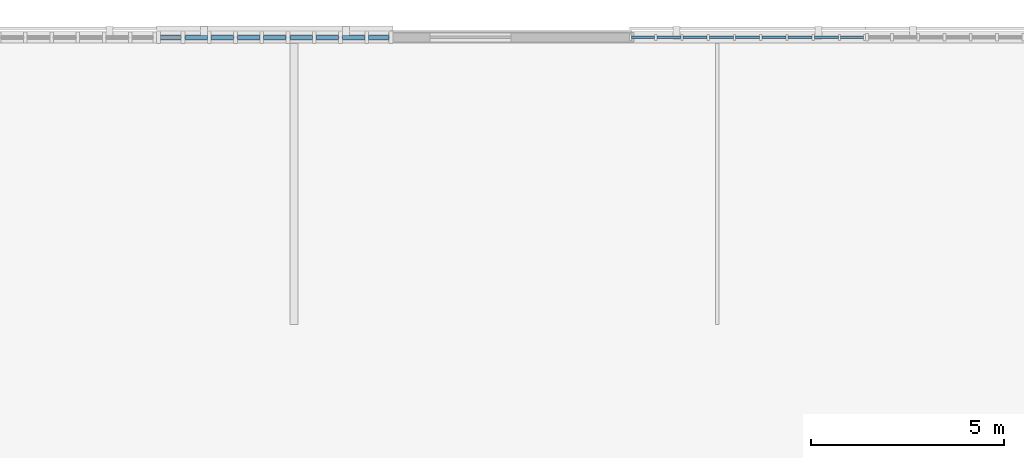
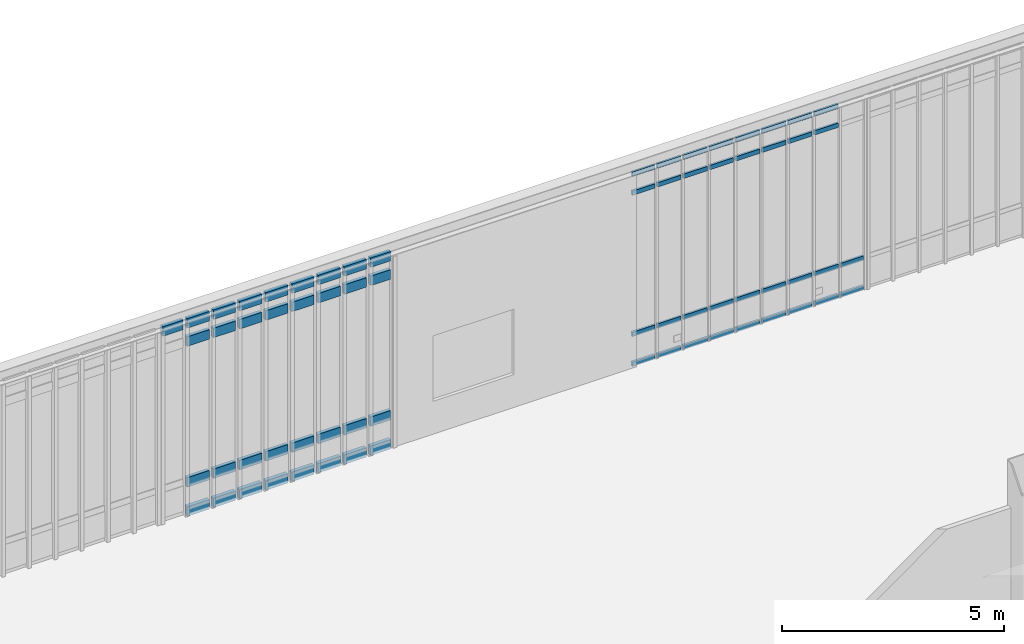
# One storey, part 55 of 135: 67 members, 2 elements without a shape of their own.
"""IFC4 building model written with IfcOpenShell, lengths in metres."""

import ifcopenshell
import ifcopenshell.guid

model = None  # the IFC model being written
_history = None  # IfcOwnerHistory: only IFC2X3 demands one
_inside = {}  # id of a spatial element -> (the spatial element, [elements in it])
_under = {}  # id of a project, library or spatial element -> (it, [spatial elements below it])
_declared = {}  # id of a project -> (the project, [libraries it declares])
_typed = {}  # id of a type object -> (the type object, [elements of that type])
_made_of = {}  # id of a material, layer set ... -> (it, [elements and type objects made of it])


def new_model(schema):
    """Start an empty IFC model of exactly this schema.

    Asked for "IFC4X3", IfcOpenShell would pick the latest addendum, in which some entities
    have other attributes; the version numbers below select the first issue.
    IFC2X3 requires an IfcOwnerHistory on every rooted entity: one is made here for all.
    """
    global model, _history
    if schema == "IFC4X3":
        model = ifcopenshell.file(schema_version=(4, 3, 0, 0))
    else:
        model = ifcopenshell.file(schema=schema)
    _inside.clear()
    _under.clear()
    _declared.clear()
    _typed.clear()
    _made_of.clear()
    _history = None
    if model.schema == "IFC2X3":
        org = make("IfcOrganization", Name="unknown")
        user = make(
            "IfcPersonAndOrganization",
            ThePerson=make("IfcPerson", FamilyName="unknown"),
            TheOrganization=org,
        )
        app = make(
            "IfcApplication",
            ApplicationDeveloper=org,
            Version="unknown",
            ApplicationFullName="unknown",
            ApplicationIdentifier="unknown",
        )
        _history = make(
            "IfcOwnerHistory",
            OwningUser=user,
            OwningApplication=app,
            ChangeAction="ADDED",
            CreationDate=0,
        )
    return model


def make(cls, **values):
    """One entity of the class cls with the attributes given. An attribute that is None is left unset."""
    return model.create_entity(
        cls, **{name: value for name, value in values.items() if value is not None}
    )


def rooted(cls, **values):
    """An entity with a GlobalId (a new one), such as an element, a storey or a relation."""
    return make(cls, GlobalId=ifcopenshell.guid.new(), OwnerHistory=_history, **values)


def si_unit(unit_type, name, prefix=None):
    """IfcSIUnit, for example si_unit("LENGTHUNIT", "METRE", prefix="MILLI")."""
    return make("IfcSIUnit", UnitType=unit_type, Prefix=prefix, Name=name)


def assignment(units):
    """IfcUnitAssignment: the units of a project."""
    return None if units is None else make("IfcUnitAssignment", Units=units)


def point(xyz):
    """IfcCartesianPoint."""
    return None if xyz is None else make("IfcCartesianPoint", Coordinates=xyz)


def direction(xyz):
    """IfcDirection."""
    return None if xyz is None else make("IfcDirection", DirectionRatios=xyz)


def frame(location, z_axis=None, x_axis=None):
    """IfcAxis2Placement3D, a coordinate frame: its origin and axes. An axis left out is left unset."""
    return make(
        "IfcAxis2Placement3D",
        Location=point(location),
        Axis=direction(z_axis),
        RefDirection=direction(x_axis),
    )


def frame_2d(location, x_axis=None):
    """IfcAxis2Placement2D, a coordinate frame in the plane: its origin and x axis."""
    return make(
        "IfcAxis2Placement2D", Location=point(location), RefDirection=direction(x_axis)
    )


def origin():
    """The frame at (0, 0, 0) with its axes left unset."""
    return frame((0.0, 0.0, 0.0))


def origin_2d():
    """The frame at (0, 0) in the plane with its x axis left unset."""
    return frame_2d((0.0, 0.0))


def place(relative_to, where):
    """IfcLocalPlacement: puts the frame where relative to a parent placement (None: the world)."""
    return make(
        "IfcLocalPlacement", PlacementRelTo=relative_to, RelativePlacement=where
    )


def context(
    kind, dimensions, precision=None, world=None, true_north=None, identifier=None
):
    """IfcGeometricRepresentationContext, for example the 3D "Model" context."""
    return make(
        "IfcGeometricRepresentationContext",
        ContextIdentifier=identifier,
        ContextType=kind,
        CoordinateSpaceDimension=dimensions,
        Precision=precision,
        WorldCoordinateSystem=world,
        TrueNorth=true_north,
    )


def subcontext(parent, identifier, kind, view, scale=None):
    """IfcGeometricRepresentationSubContext, for example "Body" below "Model"."""
    return make(
        "IfcGeometricRepresentationSubContext",
        ContextIdentifier=identifier,
        ContextType=kind,
        ParentContext=parent,
        TargetScale=scale,
        TargetView=view,
    )


def project(units=None, contexts=None):
    """IfcProject with its units and contexts."""
    return rooted(
        "IfcProject",
        Name="project",
        RepresentationContexts=contexts,
        UnitsInContext=assignment(units),
    )


def spatial(cls, under=None, at=None, **own):
    """A site, building, storey or space (cls), placed at a placement, below another one or the project."""
    s = rooted(cls, ObjectPlacement=at, **own)
    if under is not None:
        _under.setdefault(under.id(), (under, []))[1].append(s)
    return s


def profile(cls, at=None, kind="AREA", **sizes):
    """A parametric profile (cls). Its sizes go by their IFC names, for example OverallWidth=200.0."""
    return make(cls, ProfileType=kind, Position=at, **sizes)


def rectangle(**sizes):
    """IfcRectangleProfileDef."""
    return profile("IfcRectangleProfileDef", **sizes)


def extrude(swept, where, along, depth):
    """IfcExtrudedAreaSolid: the profile swept, set in the frame where, extruded along a direction by depth."""
    return make(
        "IfcExtrudedAreaSolid",
        SweptArea=swept,
        Position=where,
        ExtrudedDirection=direction(along),
        Depth=depth,
    )


def shape(context_of_items, identifier, shape_type, items):
    """IfcShapeRepresentation: the items that make up one representation, for example the "Body"."""
    return make(
        "IfcShapeRepresentation",
        ContextOfItems=context_of_items,
        RepresentationIdentifier=identifier,
        RepresentationType=shape_type,
        Items=items,
    )


def material(Name=None, Category=None):
    """IfcMaterial."""
    return make("IfcMaterial", Name=Name, Category=Category)


def material_profile(
    of_material, cross_section, Name=None, Category=None, Priority=None
):
    """IfcMaterialProfile: a cross section and its material."""
    return make(
        "IfcMaterialProfile",
        Name=Name,
        Material=of_material,
        Profile=cross_section,
        Priority=Priority,
        Category=Category,
    )


def profile_set(profiles, Name=None, composite=None):
    """IfcMaterialProfileSet."""
    return make(
        "IfcMaterialProfileSet",
        Name=Name,
        MaterialProfiles=profiles,
        CompositeProfile=composite,
    )


def made_of(thing, what):
    """Note that an element or type object is made of a material, layer set ...; save() writes the relation."""
    if what is not None:
        _made_of.setdefault(what.id(), (what, []))[1].append(thing)
    return thing


def type_object(cls, material=None, **own):
    """A type object (cls), such as IfcWallType, which elements share."""
    return made_of(rooted(cls, **own), material)


def element(
    cls,
    number,
    at=None,
    inside=None,
    cuts=None,
    type_object=None,
    material=None,
    context=None,
    identifier="Body",
    shape_type=None,
    held_by="IfcProductDefinitionShape",
    body=None,
    shapes=None,
    **own,
):
    """One element of the class cls, such as IfcWall. Its Tag is "e" and its number.

    at: its placement. inside: the storey or other place that contains it. cuts: it is an
    opening in that element (IfcRelVoidsElement). A single representation is given by context,
    identifier, shape_type and body (its items); several are given by shapes. held_by: the class
    of the entity that holds the representations. save() writes the other relations.
    """
    e = rooted(cls, Tag="e%d" % number, ObjectPlacement=at, **own)
    if body is not None:
        shapes = [shape(context, identifier, shape_type, body)]
    if shapes is not None:
        e.Representation = make(held_by, Representations=shapes)
    if inside is not None:
        _inside.setdefault(inside.id(), (inside, []))[1].append(e)
    if cuts is not None:
        rooted(
            "IfcRelVoidsElement", RelatingBuildingElement=cuts, RelatedOpeningElement=e
        )
    if type_object is not None:
        _typed.setdefault(type_object.id(), (type_object, []))[1].append(e)
    return made_of(e, material)


def aggregate(whole, parts):
    """IfcRelAggregates: a whole, such as a stair, and the parts it consists of."""
    return rooted("IfcRelAggregates", RelatingObject=whole, RelatedObjects=parts)


def save(model, path):
    """Write the relations noted so far, then the file.

    IfcRelAggregates (storeys below a building ...), IfcRelContainedInSpatialStructure (elements
    in a storey), IfcRelDefinesByType, IfcRelAssociatesMaterial and IfcRelDeclares: one each for
    every whole, place, type object, material and project.
    """
    for whole, parts in _under.values():
        aggregate(whole, parts)
    for where, things in _inside.values():
        rooted(
            "IfcRelContainedInSpatialStructure",
            RelatedElements=things,
            RelatingStructure=where,
        )
    for kind, things in _typed.values():
        rooted("IfcRelDefinesByType", RelatedObjects=things, RelatingType=kind)
    for what, things in _made_of.values():
        rooted("IfcRelAssociatesMaterial", RelatedObjects=things, RelatingMaterial=what)
    for by, libraries in _declared.values():
        rooted("IfcRelDeclares", RelatingContext=by, RelatedDefinitions=libraries)
    model.write(path)


model = new_model("IFC4")

# Units and contexts
model_context = context("Model", 3, precision=1e-05, world=origin(), true_north=direction((0.0, 1.0)))
body_context = subcontext(model_context, "Body", "Model", "MODEL_VIEW")
ifc_project = project(units=[si_unit("LENGTHUNIT", "METRE"), si_unit("AREAUNIT", "SQUARE_METRE"), si_unit("VOLUMEUNIT", "CUBIC_METRE"), si_unit("PLANEANGLEUNIT", "RADIAN"), si_unit("MASSUNIT", "GRAM", prefix="KILO")], contexts=[model_context])

# Site, building, storey
site_placement = place(None, origin())
site = spatial("IfcSite", under=ifc_project, at=site_placement, CompositionType="ELEMENT")
building_placement = place(site_placement, origin())
building = spatial("IfcBuilding", under=site, at=building_placement, Name="Larkvane Passage Sports Hall", CompositionType="ELEMENT")
storey_placement = place(building_placement, frame((0.0, 0.0, 10.800048828125)))
storey = spatial("IfcBuildingStorey", under=building, at=storey_placement, Name="L02", CompositionType="ELEMENT", Elevation=10.800048828125)

# Curtain wall, members
ifc_material_1 = material(Name="Thermally broken aluminium and low-E glazing", Category="aluminium")
curtain_wall_type_1 = type_object("IfcCurtainWallType", Name="CW-CLINIC", PredefinedType="USERDEFINED", material=ifc_material_1)
curtain_wall_1_placement = place(storey_placement, origin())
curtain_wall_1 = element("IfcCurtainWall", 1, at=curtain_wall_1_placement, inside=storey, type_object=curtain_wall_type_1, Name="Curtain wall CW5-L02-099", ObjectType="UNITISED CURTAIN WALL", PredefinedType="USERDEFINED")
ifc_material_2 = material(Name="Anodised aluminium 6063-T6", Category="aluminium")
ifc_material_profile_1 = material_profile(ifc_material_2, rectangle(XDim=0.10009765625, YDim=0.260009765625, at=origin_2d()), Name="ALU-TRN-100x260")
ifc_profile_set_1 = profile_set([ifc_material_profile_1], Name="Anodised aluminium 6063-T6")
member_type_1 = type_object("IfcMemberType", Name="CW-TRN-100x260", PredefinedType="USERDEFINED", material=ifc_profile_set_1)
member_1_placement = place(storey_placement, frame((46.27490234375, 106.800048828125, 5.218017578125), z_axis=(1.0, 0.0, 0.0), x_axis=(0.0, 1.0, 0.0)))
member_1 = element("IfcMember", 2, at=member_1_placement, type_object=member_type_1, Name="CW-05 transom 1.4", ObjectType="TRANSOM", PredefinedType="USERDEFINED", context=body_context, shape_type="SweptSolid", body=[
    extrude(rectangle(XDim=0.10009765625, YDim=0.260009765625, at=origin_2d()), origin(), (0.0, 0.0, 1.0), 0.53076171875),
])
member_2_placement = place(storey_placement, frame((46.905517578125, 106.800048828125, 0.050048828125), z_axis=(1.0, 0.0, 0.0), x_axis=(0.0, 1.0, 0.0)))
member_2 = element("IfcMember", 3, at=member_2_placement, type_object=member_type_1, Name="CW-05 transom 2.1", ObjectType="TRANSOM", PredefinedType="USERDEFINED", context=body_context, shape_type="SweptSolid", body=[
    extrude(rectangle(XDim=0.10009765625, YDim=0.260009765625, at=origin_2d()), origin(), (0.0, 0.0, 1.0), 0.58056640625),
])
member_3_placement = place(storey_placement, frame((46.905517578125, 106.800048828125, 0.849853515625), z_axis=(1.0, 0.0, 0.0), x_axis=(0.0, 1.0, 0.0)))
member_3 = element("IfcMember", 4, at=member_3_placement, type_object=member_type_1, Name="CW-05 transom 2.2", ObjectType="TRANSOM", PredefinedType="USERDEFINED", context=body_context, shape_type="SweptSolid", body=[
    extrude(rectangle(XDim=0.10009765625, YDim=0.260009765625, at=origin_2d()), origin(), (0.0, 0.0, 1.0), 0.58056640625),
])
member_4_placement = place(storey_placement, frame((46.905517578125, 106.800048828125, 4.718017578125), z_axis=(1.0, 0.0, 0.0), x_axis=(0.0, 1.0, 0.0)))
member_4 = element("IfcMember", 5, at=member_4_placement, type_object=member_type_1, Name="CW-05 transom 2.3", ObjectType="TRANSOM", PredefinedType="USERDEFINED", context=body_context, shape_type="SweptSolid", body=[
    extrude(rectangle(XDim=0.10009765625, YDim=0.260009765625, at=origin_2d()), origin(), (0.0, 0.0, 1.0), 0.58056640625),
])
member_5_placement = place(storey_placement, frame((46.905517578125, 106.800048828125, 5.218017578125), z_axis=(1.0, 0.0, 0.0), x_axis=(0.0, 1.0, 0.0)))
member_5 = element("IfcMember", 6, at=member_5_placement, type_object=member_type_1, Name="CW-05 transom 2.4", ObjectType="TRANSOM", PredefinedType="USERDEFINED", context=body_context, shape_type="SweptSolid", body=[
    extrude(rectangle(XDim=0.10009765625, YDim=0.260009765625, at=origin_2d()), origin(), (0.0, 0.0, 1.0), 0.58056640625),
])
member_6_placement = place(storey_placement, frame((47.586181640625, 106.800048828125, 0.050048828125), z_axis=(1.0, 0.0, 0.0), x_axis=(0.0, 1.0, 0.0)))
member_6 = element("IfcMember", 7, at=member_6_placement, type_object=member_type_1, Name="CW-05 transom 3.1", ObjectType="TRANSOM", PredefinedType="USERDEFINED", context=body_context, shape_type="SweptSolid", body=[
    extrude(rectangle(XDim=0.10009765625, YDim=0.260009765625, at=origin_2d()), origin(), (0.0, 0.0, 1.0), 0.58056640625),
])
member_7_placement = place(storey_placement, frame((47.586181640625, 106.800048828125, 0.849853515625), z_axis=(1.0, 0.0, 0.0), x_axis=(0.0, 1.0, 0.0)))
member_7 = element("IfcMember", 8, at=member_7_placement, type_object=member_type_1, Name="CW-05 transom 3.2", ObjectType="TRANSOM", PredefinedType="USERDEFINED", context=body_context, shape_type="SweptSolid", body=[
    extrude(rectangle(XDim=0.10009765625, YDim=0.260009765625, at=origin_2d()), origin(), (0.0, 0.0, 1.0), 0.58056640625),
])
member_8_placement = place(storey_placement, frame((47.586181640625, 106.800048828125, 4.718017578125), z_axis=(1.0, 0.0, 0.0), x_axis=(0.0, 1.0, 0.0)))
member_8 = element("IfcMember", 9, at=member_8_placement, type_object=member_type_1, Name="CW-05 transom 3.3", ObjectType="TRANSOM", PredefinedType="USERDEFINED", context=body_context, shape_type="SweptSolid", body=[
    extrude(rectangle(XDim=0.10009765625, YDim=0.260009765625, at=origin_2d()), origin(), (0.0, 0.0, 1.0), 0.58056640625),
])
member_9_placement = place(storey_placement, frame((47.586181640625, 106.800048828125, 5.218017578125), z_axis=(1.0, 0.0, 0.0), x_axis=(0.0, 1.0, 0.0)))
member_9 = element("IfcMember", 10, at=member_9_placement, type_object=member_type_1, Name="CW-05 transom 3.4", ObjectType="TRANSOM", PredefinedType="USERDEFINED", context=body_context, shape_type="SweptSolid", body=[
    extrude(rectangle(XDim=0.10009765625, YDim=0.260009765625, at=origin_2d()), origin(), (0.0, 0.0, 1.0), 0.58056640625),
])
member_10_placement = place(storey_placement, frame((48.2666015625, 106.800048828125, 0.050048828125), z_axis=(1.0, 0.0, 0.0), x_axis=(0.0, 1.0, 0.0)))
member_10 = element("IfcMember", 11, at=member_10_placement, type_object=member_type_1, Name="CW-05 transom 4.1", ObjectType="TRANSOM", PredefinedType="USERDEFINED", context=body_context, shape_type="SweptSolid", body=[
    extrude(rectangle(XDim=0.10009765625, YDim=0.260009765625, at=origin_2d()), origin(), (0.0, 0.0, 1.0), 0.58056640625),
])
member_11_placement = place(storey_placement, frame((48.2666015625, 106.800048828125, 0.849853515625), z_axis=(1.0, 0.0, 0.0), x_axis=(0.0, 1.0, 0.0)))
member_11 = element("IfcMember", 12, at=member_11_placement, type_object=member_type_1, Name="CW-05 transom 4.2", ObjectType="TRANSOM", PredefinedType="USERDEFINED", context=body_context, shape_type="SweptSolid", body=[
    extrude(rectangle(XDim=0.10009765625, YDim=0.260009765625, at=origin_2d()), origin(), (0.0, 0.0, 1.0), 0.58056640625),
])
member_12_placement = place(storey_placement, frame((48.2666015625, 106.800048828125, 4.718017578125), z_axis=(1.0, 0.0, 0.0), x_axis=(0.0, 1.0, 0.0)))
member_12 = element("IfcMember", 13, at=member_12_placement, type_object=member_type_1, Name="CW-05 transom 4.3", ObjectType="TRANSOM", PredefinedType="USERDEFINED", context=body_context, shape_type="SweptSolid", body=[
    extrude(rectangle(XDim=0.10009765625, YDim=0.260009765625, at=origin_2d()), origin(), (0.0, 0.0, 1.0), 0.58056640625),
])
member_13_placement = place(storey_placement, frame((48.2666015625, 106.800048828125, 5.218017578125), z_axis=(1.0, 0.0, 0.0), x_axis=(0.0, 1.0, 0.0)))
member_13 = element("IfcMember", 14, at=member_13_placement, type_object=member_type_1, Name="CW-05 transom 4.4", ObjectType="TRANSOM", PredefinedType="USERDEFINED", context=body_context, shape_type="SweptSolid", body=[
    extrude(rectangle(XDim=0.10009765625, YDim=0.260009765625, at=origin_2d()), origin(), (0.0, 0.0, 1.0), 0.58056640625),
])
member_14_placement = place(storey_placement, frame((48.947265625, 106.800048828125, 0.050048828125), z_axis=(1.0, 0.0, 0.0), x_axis=(0.0, 1.0, 0.0)))
member_14 = element("IfcMember", 15, at=member_14_placement, type_object=member_type_1, Name="CW-05 transom 5.1", ObjectType="TRANSOM", PredefinedType="USERDEFINED", context=body_context, shape_type="SweptSolid", body=[
    extrude(rectangle(XDim=0.10009765625, YDim=0.260009765625, at=origin_2d()), origin(), (0.0, 0.0, 1.0), 0.58056640625),
])
member_15_placement = place(storey_placement, frame((48.947265625, 106.800048828125, 0.849853515625), z_axis=(1.0, 0.0, 0.0), x_axis=(0.0, 1.0, 0.0)))
member_15 = element("IfcMember", 16, at=member_15_placement, type_object=member_type_1, Name="CW-05 transom 5.2", ObjectType="TRANSOM", PredefinedType="USERDEFINED", context=body_context, shape_type="SweptSolid", body=[
    extrude(rectangle(XDim=0.10009765625, YDim=0.260009765625, at=origin_2d()), origin(), (0.0, 0.0, 1.0), 0.58056640625),
])
member_16_placement = place(storey_placement, frame((48.947265625, 106.800048828125, 4.718017578125), z_axis=(1.0, 0.0, 0.0), x_axis=(0.0, 1.0, 0.0)))
member_16 = element("IfcMember", 17, at=member_16_placement, type_object=member_type_1, Name="CW-05 transom 5.3", ObjectType="TRANSOM", PredefinedType="USERDEFINED", context=body_context, shape_type="SweptSolid", body=[
    extrude(rectangle(XDim=0.10009765625, YDim=0.260009765625, at=origin_2d()), origin(), (0.0, 0.0, 1.0), 0.58056640625),
])
member_17_placement = place(storey_placement, frame((48.947265625, 106.800048828125, 5.218017578125), z_axis=(1.0, 0.0, 0.0), x_axis=(0.0, 1.0, 0.0)))
member_17 = element("IfcMember", 18, at=member_17_placement, type_object=member_type_1, Name="CW-05 transom 5.4", ObjectType="TRANSOM", PredefinedType="USERDEFINED", context=body_context, shape_type="SweptSolid", body=[
    extrude(rectangle(XDim=0.10009765625, YDim=0.260009765625, at=origin_2d()), origin(), (0.0, 0.0, 1.0), 0.58056640625),
])
member_18_placement = place(storey_placement, frame((49.627685546875, 106.800048828125, 0.050048828125), z_axis=(1.0, 0.0, 0.0), x_axis=(0.0, 1.0, 0.0)))
member_18 = element("IfcMember", 19, at=member_18_placement, type_object=member_type_1, Name="CW-05 transom 6.1", ObjectType="TRANSOM", PredefinedType="USERDEFINED", context=body_context, shape_type="SweptSolid", body=[
    extrude(rectangle(XDim=0.10009765625, YDim=0.260009765625, at=origin_2d()), origin(), (0.0, 0.0, 1.0), 0.58056640625),
])
member_19_placement = place(storey_placement, frame((49.627685546875, 106.800048828125, 0.849853515625), z_axis=(1.0, 0.0, 0.0), x_axis=(0.0, 1.0, 0.0)))
member_19 = element("IfcMember", 20, at=member_19_placement, type_object=member_type_1, Name="CW-05 transom 6.2", ObjectType="TRANSOM", PredefinedType="USERDEFINED", context=body_context, shape_type="SweptSolid", body=[
    extrude(rectangle(XDim=0.10009765625, YDim=0.260009765625, at=origin_2d()), origin(), (0.0, 0.0, 1.0), 0.58056640625),
])
member_20_placement = place(storey_placement, frame((49.627685546875, 106.800048828125, 4.718017578125), z_axis=(1.0, 0.0, 0.0), x_axis=(0.0, 1.0, 0.0)))
member_20 = element("IfcMember", 21, at=member_20_placement, type_object=member_type_1, Name="CW-05 transom 6.3", ObjectType="TRANSOM", PredefinedType="USERDEFINED", context=body_context, shape_type="SweptSolid", body=[
    extrude(rectangle(XDim=0.10009765625, YDim=0.260009765625, at=origin_2d()), origin(), (0.0, 0.0, 1.0), 0.58056640625),
])
member_21_placement = place(storey_placement, frame((49.627685546875, 106.800048828125, 5.218017578125), z_axis=(1.0, 0.0, 0.0), x_axis=(0.0, 1.0, 0.0)))
member_21 = element("IfcMember", 22, at=member_21_placement, type_object=member_type_1, Name="CW-05 transom 6.4", ObjectType="TRANSOM", PredefinedType="USERDEFINED", context=body_context, shape_type="SweptSolid", body=[
    extrude(rectangle(XDim=0.10009765625, YDim=0.260009765625, at=origin_2d()), origin(), (0.0, 0.0, 1.0), 0.58056640625),
])
member_22_placement = place(storey_placement, frame((50.308349609375, 106.800048828125, 0.050048828125), z_axis=(1.0, 0.0, 0.0), x_axis=(0.0, 1.0, 0.0)))
member_22 = element("IfcMember", 23, at=member_22_placement, type_object=member_type_1, Name="CW-05 transom 7.1", ObjectType="TRANSOM", PredefinedType="USERDEFINED", context=body_context, shape_type="SweptSolid", body=[
    extrude(rectangle(XDim=0.10009765625, YDim=0.260009765625, at=origin_2d()), origin(), (0.0, 0.0, 1.0), 0.58056640625),
])
member_23_placement = place(storey_placement, frame((50.308349609375, 106.800048828125, 0.849853515625), z_axis=(1.0, 0.0, 0.0), x_axis=(0.0, 1.0, 0.0)))
member_23 = element("IfcMember", 24, at=member_23_placement, type_object=member_type_1, Name="CW-05 transom 7.2", ObjectType="TRANSOM", PredefinedType="USERDEFINED", context=body_context, shape_type="SweptSolid", body=[
    extrude(rectangle(XDim=0.10009765625, YDim=0.260009765625, at=origin_2d()), origin(), (0.0, 0.0, 1.0), 0.58056640625),
])
member_24_placement = place(storey_placement, frame((50.308349609375, 106.800048828125, 4.718017578125), z_axis=(1.0, 0.0, 0.0), x_axis=(0.0, 1.0, 0.0)))
member_24 = element("IfcMember", 25, at=member_24_placement, type_object=member_type_1, Name="CW-05 transom 7.3", ObjectType="TRANSOM", PredefinedType="USERDEFINED", context=body_context, shape_type="SweptSolid", body=[
    extrude(rectangle(XDim=0.10009765625, YDim=0.260009765625, at=origin_2d()), origin(), (0.0, 0.0, 1.0), 0.58056640625),
])
member_25_placement = place(storey_placement, frame((50.308349609375, 106.800048828125, 5.218017578125), z_axis=(1.0, 0.0, 0.0), x_axis=(0.0, 1.0, 0.0)))
member_25 = element("IfcMember", 26, at=member_25_placement, type_object=member_type_1, Name="CW-05 transom 7.4", ObjectType="TRANSOM", PredefinedType="USERDEFINED", context=body_context, shape_type="SweptSolid", body=[
    extrude(rectangle(XDim=0.10009765625, YDim=0.260009765625, at=origin_2d()), origin(), (0.0, 0.0, 1.0), 0.58056640625),
])
member_26_placement = place(storey_placement, frame((50.98876953125, 106.800048828125, 0.050048828125), z_axis=(1.0, 0.0, 0.0), x_axis=(0.0, 1.0, 0.0)))
member_26 = element("IfcMember", 27, at=member_26_placement, type_object=member_type_1, Name="CW-05 transom 8.1", ObjectType="TRANSOM", PredefinedType="USERDEFINED", context=body_context, shape_type="SweptSolid", body=[
    extrude(rectangle(XDim=0.10009765625, YDim=0.260009765625, at=origin_2d()), origin(), (0.0, 0.0, 1.0), 0.58056640625),
])
member_27_placement = place(storey_placement, frame((50.98876953125, 106.800048828125, 0.849853515625), z_axis=(1.0, 0.0, 0.0), x_axis=(0.0, 1.0, 0.0)))
member_27 = element("IfcMember", 28, at=member_27_placement, type_object=member_type_1, Name="CW-05 transom 8.2", ObjectType="TRANSOM", PredefinedType="USERDEFINED", context=body_context, shape_type="SweptSolid", body=[
    extrude(rectangle(XDim=0.10009765625, YDim=0.260009765625, at=origin_2d()), origin(), (0.0, 0.0, 1.0), 0.58056640625),
])
member_28_placement = place(storey_placement, frame((50.98876953125, 106.800048828125, 4.718017578125), z_axis=(1.0, 0.0, 0.0), x_axis=(0.0, 1.0, 0.0)))
member_28 = element("IfcMember", 29, at=member_28_placement, type_object=member_type_1, Name="CW-05 transom 8.3", ObjectType="TRANSOM", PredefinedType="USERDEFINED", context=body_context, shape_type="SweptSolid", body=[
    extrude(rectangle(XDim=0.10009765625, YDim=0.260009765625, at=origin_2d()), origin(), (0.0, 0.0, 1.0), 0.58056640625),
])
member_29_placement = place(storey_placement, frame((50.98876953125, 106.800048828125, 5.218017578125), z_axis=(1.0, 0.0, 0.0), x_axis=(0.0, 1.0, 0.0)))
member_29 = element("IfcMember", 30, at=member_29_placement, type_object=member_type_1, Name="CW-05 transom 8.4", ObjectType="TRANSOM", PredefinedType="USERDEFINED", context=body_context, shape_type="SweptSolid", body=[
    extrude(rectangle(XDim=0.10009765625, YDim=0.260009765625, at=origin_2d()), origin(), (0.0, 0.0, 1.0), 0.58056640625),
])
member_30_placement = place(storey_placement, frame((51.66943359375, 106.800048828125, 0.050048828125), z_axis=(1.0, 0.0, 0.0), x_axis=(0.0, 1.0, 0.0)))
member_30 = element("IfcMember", 31, at=member_30_placement, type_object=member_type_1, Name="CW-05 transom 9.1", ObjectType="TRANSOM", PredefinedType="USERDEFINED", context=body_context, shape_type="SweptSolid", body=[
    extrude(rectangle(XDim=0.10009765625, YDim=0.260009765625, at=origin_2d()), origin(), (0.0, 0.0, 1.0), 0.530517578125),
])
member_31_placement = place(storey_placement, frame((51.66943359375, 106.800048828125, 0.849853515625), z_axis=(1.0, 0.0, 0.0), x_axis=(0.0, 1.0, 0.0)))
member_31 = element("IfcMember", 32, at=member_31_placement, type_object=member_type_1, Name="CW-05 transom 9.2", ObjectType="TRANSOM", PredefinedType="USERDEFINED", context=body_context, shape_type="SweptSolid", body=[
    extrude(rectangle(XDim=0.10009765625, YDim=0.260009765625, at=origin_2d()), origin(), (0.0, 0.0, 1.0), 0.530517578125),
])
member_32_placement = place(storey_placement, frame((51.66943359375, 106.800048828125, 4.718017578125), z_axis=(1.0, 0.0, 0.0), x_axis=(0.0, 1.0, 0.0)))
member_32 = element("IfcMember", 33, at=member_32_placement, type_object=member_type_1, Name="CW-05 transom 9.3", ObjectType="TRANSOM", PredefinedType="USERDEFINED", context=body_context, shape_type="SweptSolid", body=[
    extrude(rectangle(XDim=0.10009765625, YDim=0.260009765625, at=origin_2d()), origin(), (0.0, 0.0, 1.0), 0.530517578125),
])
member_33_placement = place(storey_placement, frame((51.66943359375, 106.800048828125, 5.218017578125), z_axis=(1.0, 0.0, 0.0), x_axis=(0.0, 1.0, 0.0)))
member_33 = element("IfcMember", 34, at=member_33_placement, type_object=member_type_1, Name="CW-05 transom 9.4", ObjectType="TRANSOM", PredefinedType="USERDEFINED", context=body_context, shape_type="SweptSolid", body=[
    extrude(rectangle(XDim=0.10009765625, YDim=0.260009765625, at=origin_2d()), origin(), (0.0, 0.0, 1.0), 0.530517578125),
])
aggregate(curtain_wall_1, [member_1, member_2, member_3, member_4, member_5, member_6, member_7, member_8, member_9, member_10, member_11, member_12, member_13, member_14, member_15, member_16, member_17, member_18, member_19, member_20, member_21, member_22, member_23, member_24, member_25, member_26, member_27, member_28, member_29, member_30, member_31, member_32, member_33])

curtain_wall_type_2 = type_object("IfcCurtainWallType", Name="CW-UNIT-COURT", PredefinedType="USERDEFINED", material=ifc_material_1)
curtain_wall_2_placement = place(storey_placement, origin())
curtain_wall_2 = element("IfcCurtainWall", 35, at=curtain_wall_2_placement, inside=storey, type_object=curtain_wall_type_2, Name="Curtain wall CW5-L02-100", ObjectType="UNITISED CURTAIN WALL", PredefinedType="USERDEFINED")
ifc_material_profile_2 = material_profile(ifc_material_2, rectangle(XDim=0.06005859375, YDim=0.1201171875, at=origin_2d()), Name="ALU-TRN-60x120")
ifc_profile_set_2 = profile_set([ifc_material_profile_2], Name="Anodised aluminium 6063-T6")
member_type_2 = type_object("IfcMemberType", Name="CW-TRN-60x120", PredefinedType="USERDEFINED", material=ifc_profile_set_2)
member_34_placement = place(storey_placement, frame((58.485107421875, 106.800048828125, 0.030029296875), z_axis=(1.0, 0.0, 0.0), x_axis=(0.0, 1.0, 0.0)))
member_34 = element("IfcMember", 36, at=member_34_placement, type_object=member_type_2, Name="CW-01 transom 1.1", ObjectType="TRANSOM", PredefinedType="USERDEFINED", context=body_context, shape_type="SweptSolid", body=[
    extrude(rectangle(XDim=0.06005859375, YDim=0.1201171875, at=origin_2d()), origin(), (0.0, 0.0, 1.0), 0.59033203125),
])
member_35_placement = place(storey_placement, frame((58.485107421875, 106.800048828125, 0.849853515625), z_axis=(1.0, 0.0, 0.0), x_axis=(0.0, 1.0, 0.0)))
member_35 = element("IfcMember", 37, at=member_35_placement, type_object=member_type_2, Name="CW-01 transom 1.2", ObjectType="TRANSOM", PredefinedType="USERDEFINED", context=body_context, shape_type="SweptSolid", body=[
    extrude(rectangle(XDim=0.06005859375, YDim=0.1201171875, at=origin_2d()), origin(), (0.0, 0.0, 1.0), 0.59033203125),
])
member_36_placement = place(storey_placement, frame((58.485107421875, 106.800048828125, 4.72802734375), z_axis=(1.0, 0.0, 0.0), x_axis=(0.0, 1.0, 0.0)))
member_36 = element("IfcMember", 38, at=member_36_placement, type_object=member_type_2, Name="CW-01 transom 1.3", ObjectType="TRANSOM", PredefinedType="USERDEFINED", context=body_context, shape_type="SweptSolid", body=[
    extrude(rectangle(XDim=0.06005859375, YDim=0.1201171875, at=origin_2d()), origin(), (0.0, 0.0, 1.0), 0.59033203125),
])
member_37_placement = place(storey_placement, frame((58.485107421875, 106.800048828125, 5.248046875), z_axis=(1.0, 0.0, 0.0), x_axis=(0.0, 1.0, 0.0)))
member_37 = element("IfcMember", 39, at=member_37_placement, type_object=member_type_2, Name="CW-01 transom 1.4", ObjectType="TRANSOM", PredefinedType="USERDEFINED", context=body_context, shape_type="SweptSolid", body=[
    extrude(rectangle(XDim=0.06005859375, YDim=0.1201171875, at=origin_2d()), origin(), (0.0, 0.0, 1.0), 0.59033203125),
])
member_38_placement = place(storey_placement, frame((59.135498046875, 106.800048828125, 0.030029296875), z_axis=(1.0, 0.0, 0.0), x_axis=(0.0, 1.0, 0.0)))
member_38 = element("IfcMember", 40, at=member_38_placement, type_object=member_type_2, Name="CW-01 transom 2.1", ObjectType="TRANSOM", PredefinedType="USERDEFINED", context=body_context, shape_type="SweptSolid", body=[
    extrude(rectangle(XDim=0.06005859375, YDim=0.1201171875, at=origin_2d()), origin(), (0.0, 0.0, 1.0), 0.62060546875),
])
member_39_placement = place(storey_placement, frame((59.135498046875, 106.800048828125, 0.849853515625), z_axis=(1.0, 0.0, 0.0), x_axis=(0.0, 1.0, 0.0)))
member_39 = element("IfcMember", 41, at=member_39_placement, type_object=member_type_2, Name="CW-01 transom 2.2", ObjectType="TRANSOM", PredefinedType="USERDEFINED", context=body_context, shape_type="SweptSolid", body=[
    extrude(rectangle(XDim=0.06005859375, YDim=0.1201171875, at=origin_2d()), origin(), (0.0, 0.0, 1.0), 0.62060546875),
])
member_40_placement = place(storey_placement, frame((59.135498046875, 106.800048828125, 4.72802734375), z_axis=(1.0, 0.0, 0.0), x_axis=(0.0, 1.0, 0.0)))
member_40 = element("IfcMember", 42, at=member_40_placement, type_object=member_type_2, Name="CW-01 transom 2.3", ObjectType="TRANSOM", PredefinedType="USERDEFINED", context=body_context, shape_type="SweptSolid", body=[
    extrude(rectangle(XDim=0.06005859375, YDim=0.1201171875, at=origin_2d()), origin(), (0.0, 0.0, 1.0), 0.62060546875),
])
member_41_placement = place(storey_placement, frame((59.135498046875, 106.800048828125, 5.248046875), z_axis=(1.0, 0.0, 0.0), x_axis=(0.0, 1.0, 0.0)))
member_41 = element("IfcMember", 43, at=member_41_placement, type_object=member_type_2, Name="CW-01 transom 2.4", ObjectType="TRANSOM", PredefinedType="USERDEFINED", context=body_context, shape_type="SweptSolid", body=[
    extrude(rectangle(XDim=0.06005859375, YDim=0.1201171875, at=origin_2d()), origin(), (0.0, 0.0, 1.0), 0.62060546875),
])
member_42_placement = place(storey_placement, frame((59.816162109375, 106.800048828125, 0.030029296875), z_axis=(1.0, 0.0, 0.0), x_axis=(0.0, 1.0, 0.0)))
member_42 = element("IfcMember", 44, at=member_42_placement, type_object=member_type_2, Name="CW-01 transom 3.1", ObjectType="TRANSOM", PredefinedType="USERDEFINED", context=body_context, shape_type="SweptSolid", body=[
    extrude(rectangle(XDim=0.06005859375, YDim=0.1201171875, at=origin_2d()), origin(), (0.0, 0.0, 1.0), 0.62060546875),
])
member_43_placement = place(storey_placement, frame((59.816162109375, 106.800048828125, 0.849853515625), z_axis=(1.0, 0.0, 0.0), x_axis=(0.0, 1.0, 0.0)))
member_43 = element("IfcMember", 45, at=member_43_placement, type_object=member_type_2, Name="CW-01 transom 3.2", ObjectType="TRANSOM", PredefinedType="USERDEFINED", context=body_context, shape_type="SweptSolid", body=[
    extrude(rectangle(XDim=0.06005859375, YDim=0.1201171875, at=origin_2d()), origin(), (0.0, 0.0, 1.0), 0.62060546875),
])
member_44_placement = place(storey_placement, frame((59.816162109375, 106.800048828125, 4.72802734375), z_axis=(1.0, 0.0, 0.0), x_axis=(0.0, 1.0, 0.0)))
member_44 = element("IfcMember", 46, at=member_44_placement, type_object=member_type_2, Name="CW-01 transom 3.3", ObjectType="TRANSOM", PredefinedType="USERDEFINED", context=body_context, shape_type="SweptSolid", body=[
    extrude(rectangle(XDim=0.06005859375, YDim=0.1201171875, at=origin_2d()), origin(), (0.0, 0.0, 1.0), 0.62060546875),
])
member_45_placement = place(storey_placement, frame((59.816162109375, 106.800048828125, 5.248046875), z_axis=(1.0, 0.0, 0.0), x_axis=(0.0, 1.0, 0.0)))
member_45 = element("IfcMember", 47, at=member_45_placement, type_object=member_type_2, Name="CW-01 transom 3.4", ObjectType="TRANSOM", PredefinedType="USERDEFINED", context=body_context, shape_type="SweptSolid", body=[
    extrude(rectangle(XDim=0.06005859375, YDim=0.1201171875, at=origin_2d()), origin(), (0.0, 0.0, 1.0), 0.62060546875),
])
member_46_placement = place(storey_placement, frame((60.49658203125, 106.800048828125, 0.030029296875), z_axis=(1.0, 0.0, 0.0), x_axis=(0.0, 1.0, 0.0)))
member_46 = element("IfcMember", 48, at=member_46_placement, type_object=member_type_2, Name="CW-01 transom 4.1", ObjectType="TRANSOM", PredefinedType="USERDEFINED", context=body_context, shape_type="SweptSolid", body=[
    extrude(rectangle(XDim=0.06005859375, YDim=0.1201171875, at=origin_2d()), origin(), (0.0, 0.0, 1.0), 0.62060546875),
])
member_47_placement = place(storey_placement, frame((60.49658203125, 106.800048828125, 0.849853515625), z_axis=(1.0, 0.0, 0.0), x_axis=(0.0, 1.0, 0.0)))
member_47 = element("IfcMember", 49, at=member_47_placement, type_object=member_type_2, Name="CW-01 transom 4.2", ObjectType="TRANSOM", PredefinedType="USERDEFINED", context=body_context, shape_type="SweptSolid", body=[
    extrude(rectangle(XDim=0.06005859375, YDim=0.1201171875, at=origin_2d()), origin(), (0.0, 0.0, 1.0), 0.62060546875),
])
member_48_placement = place(storey_placement, frame((60.49658203125, 106.800048828125, 4.72802734375), z_axis=(1.0, 0.0, 0.0), x_axis=(0.0, 1.0, 0.0)))
member_48 = element("IfcMember", 50, at=member_48_placement, type_object=member_type_2, Name="CW-01 transom 4.3", ObjectType="TRANSOM", PredefinedType="USERDEFINED", context=body_context, shape_type="SweptSolid", body=[
    extrude(rectangle(XDim=0.06005859375, YDim=0.1201171875, at=origin_2d()), origin(), (0.0, 0.0, 1.0), 0.62060546875),
])
member_49_placement = place(storey_placement, frame((60.49658203125, 106.800048828125, 5.248046875), z_axis=(1.0, 0.0, 0.0), x_axis=(0.0, 1.0, 0.0)))
member_49 = element("IfcMember", 51, at=member_49_placement, type_object=member_type_2, Name="CW-01 transom 4.4", ObjectType="TRANSOM", PredefinedType="USERDEFINED", context=body_context, shape_type="SweptSolid", body=[
    extrude(rectangle(XDim=0.06005859375, YDim=0.1201171875, at=origin_2d()), origin(), (0.0, 0.0, 1.0), 0.62060546875),
])
member_50_placement = place(storey_placement, frame((61.17724609375, 106.800048828125, 0.030029296875), z_axis=(1.0, 0.0, 0.0), x_axis=(0.0, 1.0, 0.0)))
member_50 = element("IfcMember", 52, at=member_50_placement, type_object=member_type_2, Name="CW-01 transom 5.1", ObjectType="TRANSOM", PredefinedType="USERDEFINED", context=body_context, shape_type="SweptSolid", body=[
    extrude(rectangle(XDim=0.06005859375, YDim=0.1201171875, at=origin_2d()), origin(), (0.0, 0.0, 1.0), 0.62060546875),
])
member_51_placement = place(storey_placement, frame((61.17724609375, 106.800048828125, 0.849853515625), z_axis=(1.0, 0.0, 0.0), x_axis=(0.0, 1.0, 0.0)))
member_51 = element("IfcMember", 53, at=member_51_placement, type_object=member_type_2, Name="CW-01 transom 5.2", ObjectType="TRANSOM", PredefinedType="USERDEFINED", context=body_context, shape_type="SweptSolid", body=[
    extrude(rectangle(XDim=0.06005859375, YDim=0.1201171875, at=origin_2d()), origin(), (0.0, 0.0, 1.0), 0.62060546875),
])
member_52_placement = place(storey_placement, frame((61.17724609375, 106.800048828125, 4.72802734375), z_axis=(1.0, 0.0, 0.0), x_axis=(0.0, 1.0, 0.0)))
member_52 = element("IfcMember", 54, at=member_52_placement, type_object=member_type_2, Name="CW-01 transom 5.3", ObjectType="TRANSOM", PredefinedType="USERDEFINED", context=body_context, shape_type="SweptSolid", body=[
    extrude(rectangle(XDim=0.06005859375, YDim=0.1201171875, at=origin_2d()), origin(), (0.0, 0.0, 1.0), 0.62060546875),
])
member_53_placement = place(storey_placement, frame((61.17724609375, 106.800048828125, 5.248046875), z_axis=(1.0, 0.0, 0.0), x_axis=(0.0, 1.0, 0.0)))
member_53 = element("IfcMember", 55, at=member_53_placement, type_object=member_type_2, Name="CW-01 transom 5.4", ObjectType="TRANSOM", PredefinedType="USERDEFINED", context=body_context, shape_type="SweptSolid", body=[
    extrude(rectangle(XDim=0.06005859375, YDim=0.1201171875, at=origin_2d()), origin(), (0.0, 0.0, 1.0), 0.62060546875),
])
member_54_placement = place(storey_placement, frame((61.857666015625, 106.800048828125, 0.030029296875), z_axis=(1.0, 0.0, 0.0), x_axis=(0.0, 1.0, 0.0)))
member_54 = element("IfcMember", 56, at=member_54_placement, type_object=member_type_2, Name="CW-01 transom 6.1", ObjectType="TRANSOM", PredefinedType="USERDEFINED", context=body_context, shape_type="SweptSolid", body=[
    extrude(rectangle(XDim=0.06005859375, YDim=0.1201171875, at=origin_2d()), origin(), (0.0, 0.0, 1.0), 0.62060546875),
])
member_55_placement = place(storey_placement, frame((61.857666015625, 106.800048828125, 0.849853515625), z_axis=(1.0, 0.0, 0.0), x_axis=(0.0, 1.0, 0.0)))
member_55 = element("IfcMember", 57, at=member_55_placement, type_object=member_type_2, Name="CW-01 transom 6.2", ObjectType="TRANSOM", PredefinedType="USERDEFINED", context=body_context, shape_type="SweptSolid", body=[
    extrude(rectangle(XDim=0.06005859375, YDim=0.1201171875, at=origin_2d()), origin(), (0.0, 0.0, 1.0), 0.62060546875),
])
member_56_placement = place(storey_placement, frame((61.857666015625, 106.800048828125, 4.72802734375), z_axis=(1.0, 0.0, 0.0), x_axis=(0.0, 1.0, 0.0)))
member_56 = element("IfcMember", 58, at=member_56_placement, type_object=member_type_2, Name="CW-01 transom 6.3", ObjectType="TRANSOM", PredefinedType="USERDEFINED", context=body_context, shape_type="SweptSolid", body=[
    extrude(rectangle(XDim=0.06005859375, YDim=0.1201171875, at=origin_2d()), origin(), (0.0, 0.0, 1.0), 0.62060546875),
])
member_57_placement = place(storey_placement, frame((61.857666015625, 106.800048828125, 5.248046875), z_axis=(1.0, 0.0, 0.0), x_axis=(0.0, 1.0, 0.0)))
member_57 = element("IfcMember", 59, at=member_57_placement, type_object=member_type_2, Name="CW-01 transom 6.4", ObjectType="TRANSOM", PredefinedType="USERDEFINED", context=body_context, shape_type="SweptSolid", body=[
    extrude(rectangle(XDim=0.06005859375, YDim=0.1201171875, at=origin_2d()), origin(), (0.0, 0.0, 1.0), 0.62060546875),
])
member_58_placement = place(storey_placement, frame((62.538330078125, 106.800048828125, 0.030029296875), z_axis=(1.0, 0.0, 0.0), x_axis=(0.0, 1.0, 0.0)))
member_58 = element("IfcMember", 60, at=member_58_placement, type_object=member_type_2, Name="CW-01 transom 7.1", ObjectType="TRANSOM", PredefinedType="USERDEFINED", context=body_context, shape_type="SweptSolid", body=[
    extrude(rectangle(XDim=0.06005859375, YDim=0.1201171875, at=origin_2d()), origin(), (0.0, 0.0, 1.0), 0.62060546875),
])
member_59_placement = place(storey_placement, frame((62.538330078125, 106.800048828125, 0.849853515625), z_axis=(1.0, 0.0, 0.0), x_axis=(0.0, 1.0, 0.0)))
member_59 = element("IfcMember", 61, at=member_59_placement, type_object=member_type_2, Name="CW-01 transom 7.2", ObjectType="TRANSOM", PredefinedType="USERDEFINED", context=body_context, shape_type="SweptSolid", body=[
    extrude(rectangle(XDim=0.06005859375, YDim=0.1201171875, at=origin_2d()), origin(), (0.0, 0.0, 1.0), 0.62060546875),
])
member_60_placement = place(storey_placement, frame((62.538330078125, 106.800048828125, 4.72802734375), z_axis=(1.0, 0.0, 0.0), x_axis=(0.0, 1.0, 0.0)))
member_60 = element("IfcMember", 62, at=member_60_placement, type_object=member_type_2, Name="CW-01 transom 7.3", ObjectType="TRANSOM", PredefinedType="USERDEFINED", context=body_context, shape_type="SweptSolid", body=[
    extrude(rectangle(XDim=0.06005859375, YDim=0.1201171875, at=origin_2d()), origin(), (0.0, 0.0, 1.0), 0.62060546875),
])
member_61_placement = place(storey_placement, frame((62.538330078125, 106.800048828125, 5.248046875), z_axis=(1.0, 0.0, 0.0), x_axis=(0.0, 1.0, 0.0)))
member_61 = element("IfcMember", 63, at=member_61_placement, type_object=member_type_2, Name="CW-01 transom 7.4", ObjectType="TRANSOM", PredefinedType="USERDEFINED", context=body_context, shape_type="SweptSolid", body=[
    extrude(rectangle(XDim=0.06005859375, YDim=0.1201171875, at=origin_2d()), origin(), (0.0, 0.0, 1.0), 0.62060546875),
])
member_62_placement = place(storey_placement, frame((63.218994140625, 106.800048828125, 0.030029296875), z_axis=(1.0, 0.0, 0.0), x_axis=(0.0, 1.0, 0.0)))
member_62 = element("IfcMember", 64, at=member_62_placement, type_object=member_type_2, Name="CW-01 transom 8.1", ObjectType="TRANSOM", PredefinedType="USERDEFINED", context=body_context, shape_type="SweptSolid", body=[
    extrude(rectangle(XDim=0.06005859375, YDim=0.1201171875, at=origin_2d()), origin(), (0.0, 0.0, 1.0), 0.620361328125),
])
member_63_placement = place(storey_placement, frame((63.218994140625, 106.800048828125, 0.849853515625), z_axis=(1.0, 0.0, 0.0), x_axis=(0.0, 1.0, 0.0)))
member_63 = element("IfcMember", 65, at=member_63_placement, type_object=member_type_2, Name="CW-01 transom 8.2", ObjectType="TRANSOM", PredefinedType="USERDEFINED", context=body_context, shape_type="SweptSolid", body=[
    extrude(rectangle(XDim=0.06005859375, YDim=0.1201171875, at=origin_2d()), origin(), (0.0, 0.0, 1.0), 0.620361328125),
])
member_64_placement = place(storey_placement, frame((63.218994140625, 106.800048828125, 4.72802734375), z_axis=(1.0, 0.0, 0.0), x_axis=(0.0, 1.0, 0.0)))
member_64 = element("IfcMember", 66, at=member_64_placement, type_object=member_type_2, Name="CW-01 transom 8.3", ObjectType="TRANSOM", PredefinedType="USERDEFINED", context=body_context, shape_type="SweptSolid", body=[
    extrude(rectangle(XDim=0.06005859375, YDim=0.1201171875, at=origin_2d()), origin(), (0.0, 0.0, 1.0), 0.620361328125),
])
member_65_placement = place(storey_placement, frame((63.218994140625, 106.800048828125, 5.248046875), z_axis=(1.0, 0.0, 0.0), x_axis=(0.0, 1.0, 0.0)))
member_65 = element("IfcMember", 67, at=member_65_placement, type_object=member_type_2, Name="CW-01 transom 8.4", ObjectType="TRANSOM", PredefinedType="USERDEFINED", context=body_context, shape_type="SweptSolid", body=[
    extrude(rectangle(XDim=0.06005859375, YDim=0.1201171875, at=origin_2d()), origin(), (0.0, 0.0, 1.0), 0.620361328125),
])
member_66_placement = place(storey_placement, frame((63.8994140625, 106.800048828125, 0.030029296875), z_axis=(1.0, 0.0, 0.0), x_axis=(0.0, 1.0, 0.0)))
member_66 = element("IfcMember", 68, at=member_66_placement, type_object=member_type_2, Name="CW-01 transom 9.1", ObjectType="TRANSOM", PredefinedType="USERDEFINED", context=body_context, shape_type="SweptSolid", body=[
    extrude(rectangle(XDim=0.06005859375, YDim=0.1201171875, at=origin_2d()), origin(), (0.0, 0.0, 1.0), 0.590576171875),
])
member_67_placement = place(storey_placement, frame((63.8994140625, 106.800048828125, 0.849853515625), z_axis=(1.0, 0.0, 0.0), x_axis=(0.0, 1.0, 0.0)))
member_67 = element("IfcMember", 69, at=member_67_placement, type_object=member_type_2, Name="CW-01 transom 9.2", ObjectType="TRANSOM", PredefinedType="USERDEFINED", context=body_context, shape_type="SweptSolid", body=[
    extrude(rectangle(XDim=0.06005859375, YDim=0.1201171875, at=origin_2d()), origin(), (0.0, 0.0, 1.0), 0.590576171875),
])
aggregate(curtain_wall_2, [member_34, member_35, member_36, member_37, member_38, member_39, member_40, member_41, member_42, member_43, member_44, member_45, member_46, member_47, member_48, member_49, member_50, member_51, member_52, member_53, member_54, member_55, member_56, member_57, member_58, member_59, member_60, member_61, member_62, member_63, member_64, member_65, member_66, member_67])

save(model, "model.ifc")
